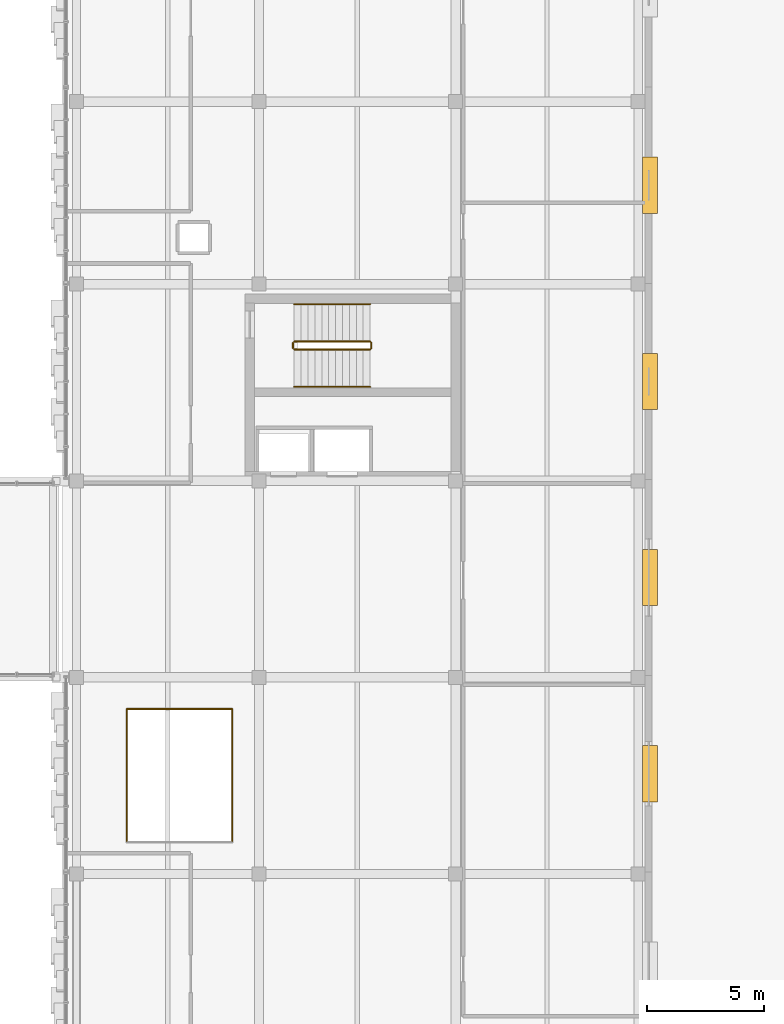
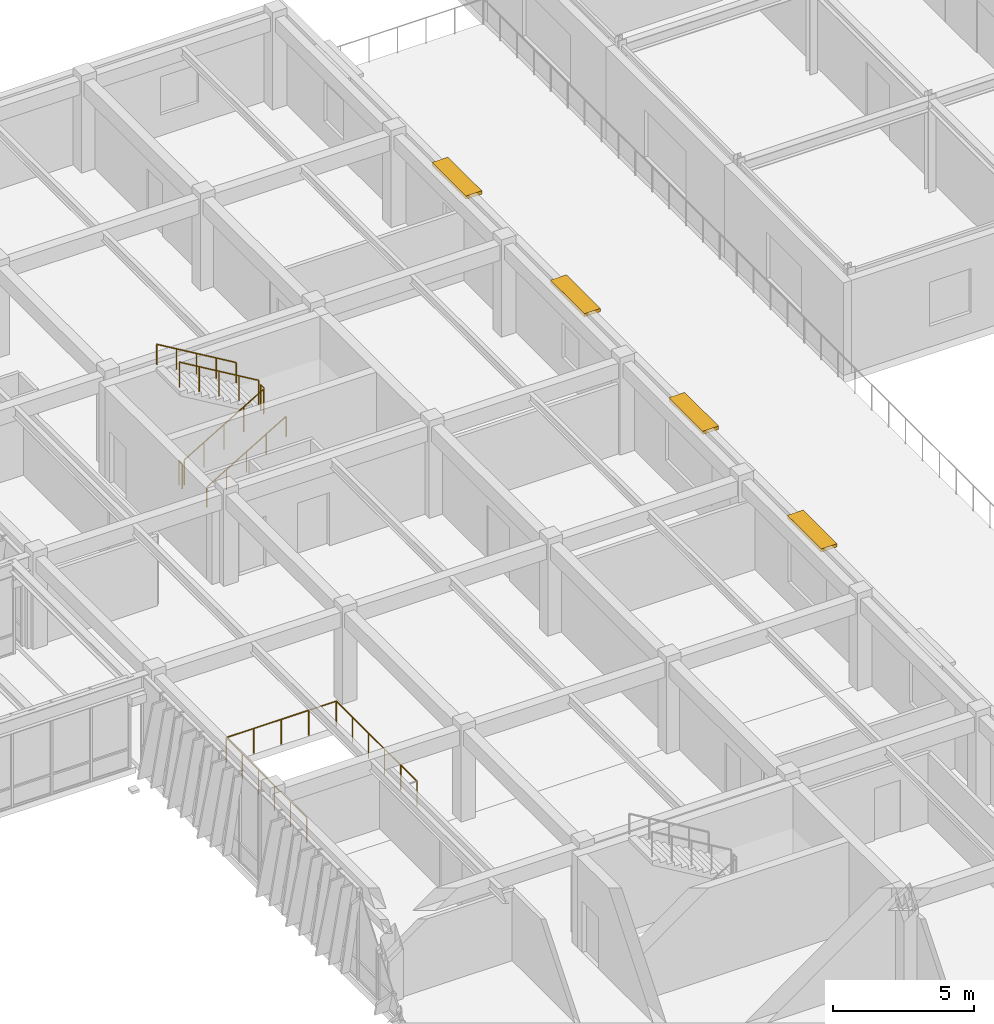
# One storey, part 125 of 127: 9 railings, 4 shading devices.
"""IFC4 building model written with IfcOpenShell, lengths in metres."""

from ifc_helpers import new_model, si_unit, direction, frame, origin, origin_2d, place, context, subcontext, project, spatial, rectangle, circle, extrude, material, type_object, element, save


model = new_model("IFC4")

# Units and contexts
model_context = context("Model", 3, precision=1e-05, world=origin(), true_north=direction((0.0, 1.0)))
body_context = subcontext(model_context, "Body", "Model", "MODEL_VIEW")
ifc_project = project(units=[si_unit("LENGTHUNIT", "METRE"), si_unit("AREAUNIT", "SQUARE_METRE"), si_unit("VOLUMEUNIT", "CUBIC_METRE"), si_unit("PLANEANGLEUNIT", "RADIAN"), si_unit("MASSUNIT", "GRAM", prefix="KILO")], contexts=[model_context])

# Site, building, storey
site_placement = place(None, origin())
site = spatial("IfcSite", under=ifc_project, at=site_placement, CompositionType="ELEMENT")
building_placement = place(site_placement, origin())
building = spatial("IfcBuilding", under=site, at=building_placement, Name="Zayran Congress Hotel", CompositionType="ELEMENT")
storey_placement = place(building_placement, frame((0.0, 0.0, 10.800048828125)))
storey = spatial("IfcBuildingStorey", under=building, at=storey_placement, Name="L02", CompositionType="ELEMENT", Elevation=10.800048828125)

# Shading devices
ifc_material_1 = material(Name="Precast concrete C40/50", Category="concrete")
shading_device_type = type_object("IfcShadingDeviceType", Name="TP-SHD-01", PredefinedType="JALOUSIE", material=ifc_material_1)
for number, where, z_axis, x_axis, name in (
    (1, (134.300048828125, 71.885009765625, 3.77978515625), (0.0, 0.0, 1.0), (0.0, 1.0, 0.0), "Precast Brise Soleil Louvre 12"),
    (2, (134.300048828125, 80.26611328125, 3.77978515625), (0.0, 0.0, 1.0), (0.0, 1.0, 0.0), "Precast Brise Soleil Louvre 13"),
    (3, (134.300048828125, 88.64697265625, 3.77978515625), (0.0, 0.0, 1.0), (0.0, 1.0, 0.0), "Precast Brise Soleil Louvre 14"),
    (4, (134.300048828125, 97.028076171875, 3.77978515625), (0.0, 0.0, 1.0), (0.0, 1.0, 0.0), "Precast Brise Soleil Louvre 15"),
):
    element("IfcShadingDevice", number, at=place(storey_placement, frame(where, z_axis=z_axis, x_axis=x_axis)), inside=storey, type_object=shading_device_type, Name=name, PredefinedType="JALOUSIE", context=body_context, shape_type="SweptSolid", body=[
        extrude(rectangle(XDim=2.39990234375, YDim=0.64990234375, at=origin_2d()), origin(), (0.0, 0.0, 1.0), 0.139892578125),
    ])

# Railings
ifc_material_2 = material(Name="Painted steel balustrade", Category="steel")
railing_type_1 = type_object("IfcRailingType", Name="TP-GRD-INT", PredefinedType="GUARDRAIL", material=ifc_material_2)
railing_1_placement = place(storey_placement, frame((119.10009765625, 90.010009765625, 0.175048828125)))
element("IfcRailing", 5, at=railing_1_placement, inside=storey, type_object=railing_type_1, Name="L02 ST-07 stair guard 1", PredefinedType="GUARDRAIL", context=body_context, shape_type="SweptSolid", body=[
    extrude(circle(Radius=0.02392578125, at=origin_2d()), frame((0.0, 0.0, 1.076171875), z_axis=(0.860068610471, 0.0, 0.510178385746), x_axis=(0.0, 1.0, 0.0)), (0.0, 0.0, 1.0), 3.772705078125),
    extrude(circle(Radius=0.02099609375, at=origin_2d()), origin(), (0.0, 0.0, 1.0), 1.052001953125),
    extrude(circle(Radius=0.02099609375, at=origin_2d()), frame((0.811279296875, 0.0, 0.481201171875)), (0.0, 0.0, 1.0), 1.052001953125),
    extrude(circle(Radius=0.02099609375, at=origin_2d()), frame((1.62255859375, 0.0, 0.96240234375)), (0.0, 0.0, 1.0), 1.052001953125),
    extrude(circle(Radius=0.02099609375, at=origin_2d()), frame((2.43359375, 0.0, 1.443603515625)), (0.0, 0.0, 1.0), 1.052001953125),
    extrude(circle(Radius=0.02099609375, at=origin_2d()), frame((3.244873046875, 0.0, 1.9248046875)), (0.0, 0.0, 1.0), 1.052001953125),
])
railing_2_placement = place(storey_placement, frame((122.39501953125, 90.06005859375, 2.099853515625)))
element("IfcRailing", 6, at=railing_2_placement, inside=storey, type_object=railing_type_1, Name="L02 ST-07 stair guard 2", PredefinedType="GUARDRAIL", context=body_context, shape_type="SweptSolid", body=[
    extrude(circle(Radius=0.02392578125, at=origin_2d()), frame((0.0, 0.0, 1.076171875), z_axis=(0.0, 1.0, 0.0), x_axis=(-1.0, 0.0, 0.0)), (0.0, 0.0, 1.0), 0.239990234375),
    extrude(circle(Radius=0.02099609375, at=origin_2d()), origin(), (0.0, 0.0, 1.0), 1.052001953125),
    extrude(circle(Radius=0.02099609375, at=origin_2d()), frame((0.0, 0.239990234375, 0.0)), (0.0, 0.0, 1.0), 1.052001953125),
])
railing_3_placement = place(storey_placement, frame((122.344970703125, 90.35009765625, 2.27490234375)))
element("IfcRailing", 7, at=railing_3_placement, inside=storey, type_object=railing_type_1, Name="L02 ST-07 stair guard 3", PredefinedType="GUARDRAIL", context=body_context, shape_type="SweptSolid", body=[
    extrude(circle(Radius=0.02392578125, at=origin_2d()), frame((0.0, 0.0, 1.076171875), z_axis=(-0.860040215814, 0.0, 0.510226250974), x_axis=(0.0, -1.0, 0.0)), (0.0, 0.0, 1.0), 3.77294921875),
    extrude(circle(Radius=0.02099609375, at=origin_2d()), origin(), (0.0, 0.0, 1.0), 1.052001953125),
    extrude(circle(Radius=0.02099609375, at=origin_2d()), frame((-0.811279296875, 0.0, 0.481201171875)), (0.0, 0.0, 1.0), 1.052001953125),
    extrude(circle(Radius=0.02099609375, at=origin_2d()), frame((-1.62255859375, 0.0, 0.96240234375)), (0.0, 0.0, 1.0), 1.052001953125),
    extrude(circle(Radius=0.02099609375, at=origin_2d()), frame((-2.43359375, 0.0, 1.44384765625)), (0.0, 0.0, 1.0), 1.052001953125),
    extrude(circle(Radius=0.02099609375, at=origin_2d()), frame((-3.244873046875, 0.0, 1.925048828125)), (0.0, 0.0, 1.0), 1.052001953125),
])
railing_4_placement = place(storey_placement, frame((119.050048828125, 90.06005859375, 0.0)))
element("IfcRailing", 8, at=railing_4_placement, inside=storey, type_object=railing_type_1, Name="L02 ST-07 stair guard 4", PredefinedType="GUARDRAIL", context=body_context, shape_type="SweptSolid", body=[
    extrude(circle(Radius=0.02392578125, at=origin_2d()), frame((0.0, 0.0, 1.076171875), z_axis=(0.0, 1.0, 0.0), x_axis=(-1.0, 0.0, 0.0)), (0.0, 0.0, 1.0), 0.239990234375),
    extrude(circle(Radius=0.02099609375, at=origin_2d()), origin(), (0.0, 0.0, 1.0), 1.052001953125),
    extrude(circle(Radius=0.02099609375, at=origin_2d()), frame((0.0, 0.239990234375, 0.0)), (0.0, 0.0, 1.0), 1.052001953125),
])
railing_5_placement = place(storey_placement, frame((116.449951171875, 68.949951171875, 0.0)))
element("IfcRailing", 9, at=railing_5_placement, inside=storey, type_object=railing_type_1, Name="V4 L02 Interior Void Guardrail V4-L02-WL-E", PredefinedType="GUARDRAIL", context=body_context, shape_type="SweptSolid", body=[
    extrude(circle(Radius=0.02392578125, at=origin_2d()), frame((0.0, 0.0, 1.076171875), z_axis=(0.0, 1.0, 0.0), x_axis=(-1.0, 0.0, 0.0)), (0.0, 0.0, 1.0), 5.699951171875),
    extrude(circle(Radius=0.02099609375, at=origin_2d()), origin(), (0.0, 0.0, 1.0), 1.052001953125),
    extrude(circle(Radius=0.02099609375, at=origin_2d()), frame((0.0, 1.139892578125, 0.0)), (0.0, 0.0, 1.0), 1.052001953125),
    extrude(circle(Radius=0.02099609375, at=origin_2d()), frame((0.0, 2.280029296875, 0.0)), (0.0, 0.0, 1.0), 1.052001953125),
    extrude(circle(Radius=0.02099609375, at=origin_2d()), frame((0.0, 3.419921875, 0.0)), (0.0, 0.0, 1.0), 1.052001953125),
    extrude(circle(Radius=0.02099609375, at=origin_2d()), frame((0.0, 4.56005859375, 0.0)), (0.0, 0.0, 1.0), 1.052001953125),
    extrude(circle(Radius=0.02099609375, at=origin_2d()), frame((0.0, 5.699951171875, 0.0)), (0.0, 0.0, 1.0), 1.052001953125),
])
railing_6_placement = place(storey_placement, frame((116.449951171875, 74.64990234375, 0.0)))
element("IfcRailing", 10, at=railing_6_placement, inside=storey, type_object=railing_type_1, Name="V4 L02 Interior Void Guardrail V4-L02-WL-N", PredefinedType="GUARDRAIL", context=body_context, shape_type="SweptSolid", body=[
    extrude(circle(Radius=0.02392578125, at=origin_2d()), frame((0.0, 0.0, 1.076171875), z_axis=(-1.0, 0.0, 0.0), x_axis=(0.0, -1.0, 0.0)), (0.0, 0.0, 1.0), 4.5),
    extrude(circle(Radius=0.02099609375, at=origin_2d()), origin(), (0.0, 0.0, 1.0), 1.052001953125),
    extrude(circle(Radius=0.02099609375, at=origin_2d()), frame((-1.125, 0.0, 0.0)), (0.0, 0.0, 1.0), 1.052001953125),
    extrude(circle(Radius=0.02099609375, at=origin_2d()), frame((-2.25, 0.0, 0.0)), (0.0, 0.0, 1.0), 1.052001953125),
    extrude(circle(Radius=0.02099609375, at=origin_2d()), frame((-3.375, 0.0, 0.0)), (0.0, 0.0, 1.0), 1.052001953125),
    extrude(circle(Radius=0.02099609375, at=origin_2d()), frame((-4.5, 0.0, 0.0)), (0.0, 0.0, 1.0), 1.052001953125),
])
railing_7_placement = place(storey_placement, frame((111.949951171875, 74.64990234375, 0.0)))
element("IfcRailing", 11, at=railing_7_placement, inside=storey, type_object=railing_type_1, Name="V4 L02 Interior Void Guardrail V4-L02-WL-W", PredefinedType="GUARDRAIL", context=body_context, shape_type="SweptSolid", body=[
    extrude(circle(Radius=0.02392578125, at=origin_2d()), frame((0.0, 0.0, 1.076171875), z_axis=(0.0, -1.0, 0.0), x_axis=(1.0, 0.0, 0.0)), (0.0, 0.0, 1.0), 5.699951171875),
    extrude(circle(Radius=0.02099609375, at=origin_2d()), origin(), (0.0, 0.0, 1.0), 1.052001953125),
    extrude(circle(Radius=0.02099609375, at=origin_2d()), frame((0.0, -1.139892578125, 0.0)), (0.0, 0.0, 1.0), 1.052001953125),
    extrude(circle(Radius=0.02099609375, at=origin_2d()), frame((0.0, -2.280029296875, 0.0)), (0.0, 0.0, 1.0), 1.052001953125),
    extrude(circle(Radius=0.02099609375, at=origin_2d()), frame((0.0, -3.419921875, 0.0)), (0.0, 0.0, 1.0), 1.052001953125),
    extrude(circle(Radius=0.02099609375, at=origin_2d()), frame((0.0, -4.56005859375, 0.0)), (0.0, 0.0, 1.0), 1.052001953125),
    extrude(circle(Radius=0.02099609375, at=origin_2d()), frame((0.0, -5.699951171875, 0.0)), (0.0, 0.0, 1.0), 1.052001953125),
])
ifc_material_3 = material(Name="Brushed stainless steel handrail", Category="steel")
railing_type_2 = type_object("IfcRailingType", Name="TP-HND-STR", PredefinedType="HANDRAIL", material=ifc_material_3)
railing_8_placement = place(storey_placement, frame((119.10009765625, 88.409912109375, 0.175048828125)))
element("IfcRailing", 12, at=railing_8_placement, inside=storey, type_object=railing_type_2, Name="L02 ST-07 stair handrail 1", PredefinedType="HANDRAIL", context=body_context, shape_type="SweptSolid", body=[
    extrude(circle(Radius=0.02392578125, at=origin_2d()), frame((0.0, 0.0, 0.8759765625), z_axis=(0.860068610471, 0.0, 0.510178385746), x_axis=(0.0, 1.0, 0.0)), (0.0, 0.0, 1.0), 3.772705078125),
    extrude(circle(Radius=0.02099609375, at=origin_2d()), origin(), (0.0, 0.0, 1.0), 0.851806640625),
    extrude(circle(Radius=0.02099609375, at=origin_2d()), frame((0.811279296875, 0.0, 0.481201171875)), (0.0, 0.0, 1.0), 0.851806640625),
    extrude(circle(Radius=0.02099609375, at=origin_2d()), frame((1.62255859375, 0.0, 0.96240234375)), (0.0, 0.0, 1.0), 0.851806640625),
    extrude(circle(Radius=0.02099609375, at=origin_2d()), frame((2.43359375, 0.0, 1.443603515625)), (0.0, 0.0, 1.0), 0.851806640625),
    extrude(circle(Radius=0.02099609375, at=origin_2d()), frame((3.244873046875, 0.0, 1.9248046875)), (0.0, 0.0, 1.0), 0.851806640625),
])
railing_9_placement = place(storey_placement, frame((122.344970703125, 91.949951171875, 2.27490234375)))
element("IfcRailing", 13, at=railing_9_placement, inside=storey, type_object=railing_type_2, Name="L02 ST-07 stair handrail 2", PredefinedType="HANDRAIL", context=body_context, shape_type="SweptSolid", body=[
    extrude(circle(Radius=0.02392578125, at=origin_2d()), frame((0.0, 0.0, 0.8759765625), z_axis=(-0.860040215814, 0.0, 0.510226250974), x_axis=(0.0, -1.0, 0.0)), (0.0, 0.0, 1.0), 3.77294921875),
    extrude(circle(Radius=0.02099609375, at=origin_2d()), origin(), (0.0, 0.0, 1.0), 0.851806640625),
    extrude(circle(Radius=0.02099609375, at=origin_2d()), frame((-0.811279296875, 0.0, 0.481201171875)), (0.0, 0.0, 1.0), 0.851806640625),
    extrude(circle(Radius=0.02099609375, at=origin_2d()), frame((-1.62255859375, 0.0, 0.96240234375)), (0.0, 0.0, 1.0), 0.851806640625),
    extrude(circle(Radius=0.02099609375, at=origin_2d()), frame((-2.43359375, 0.0, 1.44384765625)), (0.0, 0.0, 1.0), 0.851806640625),
    extrude(circle(Radius=0.02099609375, at=origin_2d()), frame((-3.244873046875, 0.0, 1.925048828125)), (0.0, 0.0, 1.0), 0.851806640625),
])

save(model, "model.ifc")
